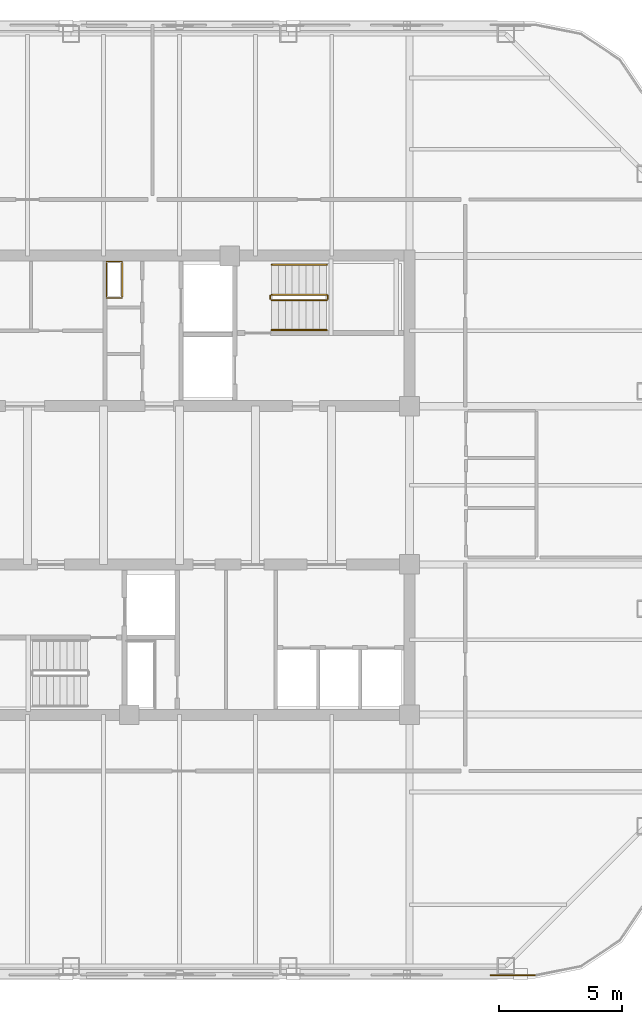
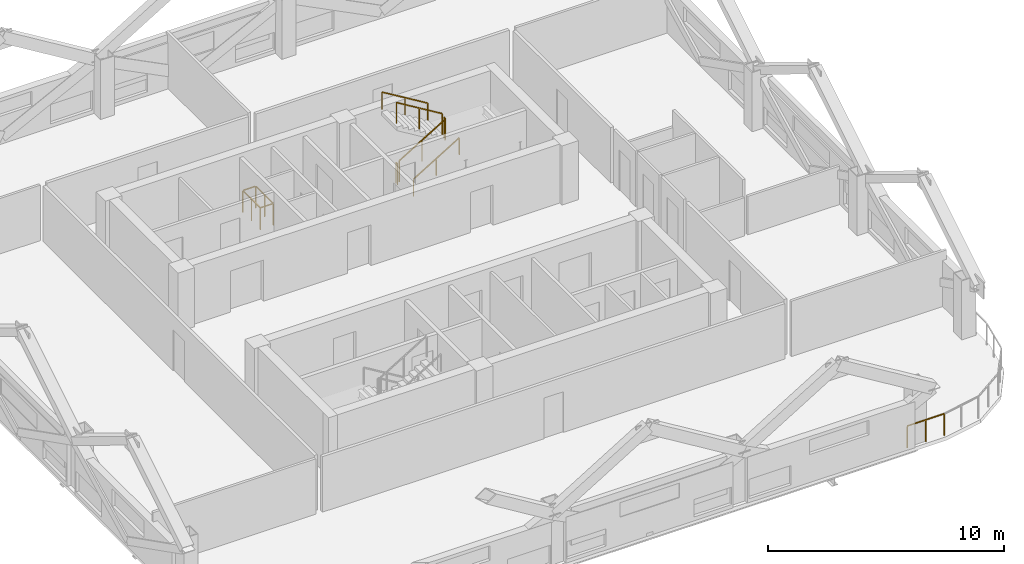
# One storey, part 8 of 9: 8 railings.
"""IFC4 building model written with IfcOpenShell, lengths in metres."""

from ifc_helpers import new_model, si_unit, direction, frame, origin, origin_2d, place, context, subcontext, project, spatial, rectangle, extrude, material, type_object, element, save


model = new_model("IFC4")

# Units and contexts
model_context = context("Model", 3, precision=1e-05, world=origin(), true_north=direction((0.0, 1.0)))
body_context = subcontext(model_context, "Body", "Model", "MODEL_VIEW")
ifc_project = project(units=[si_unit("LENGTHUNIT", "METRE"), si_unit("AREAUNIT", "SQUARE_METRE"), si_unit("VOLUMEUNIT", "CUBIC_METRE"), si_unit("PLANEANGLEUNIT", "RADIAN"), si_unit("MASSUNIT", "GRAM", prefix="KILO")], contexts=[model_context])

# Site, building, storey
site_placement = place(None, origin())
site = spatial("IfcSite", under=ifc_project, at=site_placement, CompositionType="ELEMENT")
building_placement = place(site_placement, origin())
building = spatial("IfcBuilding", under=site, at=building_placement, Name="Qhalaya Broadcast Tower", CompositionType="ELEMENT")
storey_placement = place(building_placement, frame((0.0, 0.0, 205.60009765625)))
storey = spatial("IfcBuildingStorey", under=building, at=storey_placement, Name="L60", CompositionType="ELEMENT", Elevation=205.60009765625)

# Railings
ifc_material = material(Name="Powder-Coated Galvanised Steel", Category="steel")
railing_type_1 = type_object("IfcRailingType", Name="Stair Wall Handrail 900", PredefinedType="HANDRAIL", material=ifc_material)
railing_1_placement = place(storey_placement, frame((3.75, 6.929931640625, 0.16943359375)))
element("IfcRailing", 1, at=railing_1_placement, inside=storey, type_object=railing_type_1, Name="L60 ST-1 Stair Handrail 1", PredefinedType="HANDRAIL", context=body_context, shape_type="SweptSolid", body=[
    extrude(rectangle(XDim=0.048095703125, YDim=0.048095703125, at=origin_2d()), frame((0.0, 0.0, 0.8759765625), z_axis=(0.855553338991, 0.0, 0.51771467445), x_axis=(0.0, 1.0, 0.0)), (0.0, 0.0, 1.0), 2.6181640625),
    extrude(rectangle(XDim=0.0419921875, YDim=0.0419921875, at=origin_2d()), origin(), (0.0, 0.0, 1.0), 0.849853515625),
    extrude(rectangle(XDim=0.0419921875, YDim=0.0419921875, at=origin_2d()), frame((1.1201171875, 0.0, 0.677734375)), (0.0, 0.0, 1.0), 0.849853515625),
    extrude(rectangle(XDim=0.0419921875, YDim=0.0419921875, at=origin_2d()), frame((2.239990234375, 0.0, 1.35546875)), (0.0, 0.0, 1.0), 0.849853515625),
])
railing_2_placement = place(storey_placement, frame((5.989990234375, 9.590087890625, 1.6943359375)))
element("IfcRailing", 2, at=railing_2_placement, inside=storey, type_object=railing_type_1, Name="L60 ST-1 Stair Handrail 2", PredefinedType="HANDRAIL", context=body_context, shape_type="SweptSolid", body=[
    extrude(rectangle(XDim=0.048095703125, YDim=0.048095703125, at=origin_2d()), frame((0.0, 0.0, 0.8759765625), z_axis=(-0.855553338991, 0.0, 0.51771467445), x_axis=(0.0, -1.0, 0.0)), (0.0, 0.0, 1.0), 2.6181640625),
    extrude(rectangle(XDim=0.0419921875, YDim=0.0419921875, at=origin_2d()), origin(), (0.0, 0.0, 1.0), 0.849853515625),
    extrude(rectangle(XDim=0.0419921875, YDim=0.0419921875, at=origin_2d()), frame((-1.1201171875, 0.0, 0.677734375)), (0.0, 0.0, 1.0), 0.849853515625),
    extrude(rectangle(XDim=0.0419921875, YDim=0.0419921875, at=origin_2d()), frame((-2.239990234375, 0.0, 1.35546875)), (0.0, 0.0, 1.0), 0.849853515625),
])
railing_type_2 = type_object("IfcRailingType", Name="Stair Well & Landing Guardrail 1100", PredefinedType="GUARDRAIL", material=ifc_material)
railing_3_placement = place(storey_placement, frame((-2.340087890625, 8.239990234375, 0.0)))
element("IfcRailing", 3, at=railing_3_placement, inside=storey, type_object=railing_type_2, Name="L60 Service Riser Opening Safety Guard NRSR", PredefinedType="GUARDRAIL", context=body_context, shape_type="SweptSolid", body=[
    extrude(rectangle(XDim=0.048095703125, YDim=0.048095703125, at=origin_2d()), frame((0.0, 0.02880859375, 1.1259765625), z_axis=(0.0, 1.0, 0.0), x_axis=(-1.0, 0.0, 0.0)), (0.0, 0.0, 1.0), 1.42236328125),
    extrude(rectangle(XDim=0.048095703125, YDim=0.048095703125, at=origin_2d()), frame((-0.02880859375, 1.47998046875, 1.1259765625), z_axis=(-1.0, 0.0, 0.0), x_axis=(0.0, -1.0, 0.0)), (0.0, 0.0, 1.0), 0.582275390625),
    extrude(rectangle(XDim=0.048095703125, YDim=0.048095703125, at=origin_2d()), frame((-0.639892578125, 1.451171875, 1.1259765625), z_axis=(0.0, -1.0, 0.0), x_axis=(1.0, 0.0, 0.0)), (0.0, 0.0, 1.0), 1.42236328125),
    extrude(rectangle(XDim=0.048095703125, YDim=0.048095703125, at=origin_2d()), frame((-0.611083984375, 0.0, 1.1259765625), z_axis=(1.0, 0.0, 0.0), x_axis=(0.0, 1.0, 0.0)), (0.0, 0.0, 1.0), 0.582275390625),
    extrude(rectangle(XDim=0.0419921875, YDim=0.0419921875, at=origin_2d()), origin(), (0.0, 0.0, 1.0), 1.099853515625),
    extrude(rectangle(XDim=0.0419921875, YDim=0.0419921875, at=origin_2d()), frame((0.0, 0.739990234375, 0.0)), (0.0, 0.0, 1.0), 1.099853515625),
    extrude(rectangle(XDim=0.0419921875, YDim=0.0419921875, at=origin_2d()), frame((0.0, 1.47998046875, 0.0)), (0.0, 0.0, 1.0), 1.099853515625),
    extrude(rectangle(XDim=0.0419921875, YDim=0.0419921875, at=origin_2d()), frame((-0.639892578125, 1.47998046875, 0.0)), (0.0, 0.0, 1.0), 1.099853515625),
    extrude(rectangle(XDim=0.0419921875, YDim=0.0419921875, at=origin_2d()), frame((-0.639892578125, 0.739990234375, 0.0)), (0.0, 0.0, 1.0), 1.099853515625),
    extrude(rectangle(XDim=0.0419921875, YDim=0.0419921875, at=origin_2d()), frame((-0.639892578125, 0.0, 0.0)), (0.0, 0.0, 1.0), 1.099853515625),
])
railing_4_placement = place(storey_placement, frame((3.75, 8.14990234375, 0.16943359375)))
element("IfcRailing", 4, at=railing_4_placement, inside=storey, type_object=railing_type_2, Name="L60 ST-1 Stair Guard 1", PredefinedType="GUARDRAIL", context=body_context, shape_type="SweptSolid", body=[
    extrude(rectangle(XDim=0.048095703125, YDim=0.048095703125, at=origin_2d()), frame((0.0, 0.0, 1.076171875), z_axis=(0.855553338991, 0.0, 0.51771467445), x_axis=(0.0, 1.0, 0.0)), (0.0, 0.0, 1.0), 2.6181640625),
    extrude(rectangle(XDim=0.0419921875, YDim=0.0419921875, at=origin_2d()), origin(), (0.0, 0.0, 1.0), 1.050048828125),
    extrude(rectangle(XDim=0.0419921875, YDim=0.0419921875, at=origin_2d()), frame((1.1201171875, 0.0, 0.677734375)), (0.0, 0.0, 1.0), 1.050048828125),
    extrude(rectangle(XDim=0.0419921875, YDim=0.0419921875, at=origin_2d()), frame((2.239990234375, 0.0, 1.35546875)), (0.0, 0.0, 1.0), 1.050048828125),
])
railing_5_placement = place(storey_placement, frame((6.0400390625, 8.199951171875, 1.52490234375)))
element("IfcRailing", 5, at=railing_5_placement, inside=storey, type_object=railing_type_2, Name="L60 ST-1 Stair Guard 2", PredefinedType="GUARDRAIL", context=body_context, shape_type="SweptSolid", body=[
    extrude(rectangle(XDim=0.048095703125, YDim=0.048095703125, at=origin_2d()), frame((0.0, 0.0, 1.076171875), z_axis=(0.0, 1.0, 0.0), x_axis=(-1.0, 0.0, 0.0)), (0.0, 0.0, 1.0), 0.1201171875),
    extrude(rectangle(XDim=0.0419921875, YDim=0.0419921875, at=origin_2d()), origin(), (0.0, 0.0, 1.0), 1.050048828125),
    extrude(rectangle(XDim=0.0419921875, YDim=0.0419921875, at=origin_2d()), frame((0.0, 0.1201171875, 0.0)), (0.0, 0.0, 1.0), 1.050048828125),
])
railing_6_placement = place(storey_placement, frame((5.989990234375, 8.3701171875, 1.6943359375)))
element("IfcRailing", 6, at=railing_6_placement, inside=storey, type_object=railing_type_2, Name="L60 ST-1 Stair Guard 3", PredefinedType="GUARDRAIL", context=body_context, shape_type="SweptSolid", body=[
    extrude(rectangle(XDim=0.048095703125, YDim=0.048095703125, at=origin_2d()), frame((0.0, 0.0, 1.076171875), z_axis=(-0.855553338991, 0.0, 0.51771467445), x_axis=(0.0, -1.0, 0.0)), (0.0, 0.0, 1.0), 2.6181640625),
    extrude(rectangle(XDim=0.0419921875, YDim=0.0419921875, at=origin_2d()), origin(), (0.0, 0.0, 1.0), 1.050048828125),
    extrude(rectangle(XDim=0.0419921875, YDim=0.0419921875, at=origin_2d()), frame((-1.1201171875, 0.0, 0.677734375)), (0.0, 0.0, 1.0), 1.050048828125),
    extrude(rectangle(XDim=0.0419921875, YDim=0.0419921875, at=origin_2d()), frame((-2.239990234375, 0.0, 1.35546875)), (0.0, 0.0, 1.0), 1.050048828125),
])
railing_7_placement = place(storey_placement, frame((3.699951171875, 8.199951171875, 0.0)))
element("IfcRailing", 7, at=railing_7_placement, inside=storey, type_object=railing_type_2, Name="L60 ST-1 Stair Guard 4", PredefinedType="GUARDRAIL", context=body_context, shape_type="SweptSolid", body=[
    extrude(rectangle(XDim=0.048095703125, YDim=0.048095703125, at=origin_2d()), frame((0.0, 0.0, 1.076171875), z_axis=(0.0, 1.0, 0.0), x_axis=(-1.0, 0.0, 0.0)), (0.0, 0.0, 1.0), 0.1201171875),
    extrude(rectangle(XDim=0.0419921875, YDim=0.0419921875, at=origin_2d()), origin(), (0.0, 0.0, 1.0), 1.050048828125),
    extrude(rectangle(XDim=0.0419921875, YDim=0.0419921875, at=origin_2d()), frame((0.0, 0.1201171875, 0.0)), (0.0, 0.0, 1.0), 1.050048828125),
])
railing_type_3 = type_object("IfcRailingType", Name="Terrace, Sky-Pool & Lookout Glass Balustrade 1150", PredefinedType="BALUSTRADE", material=ifc_material)
railing_8_placement = place(storey_placement, frame((14.48828125, -19.3798828125, 0.0)))
element("IfcRailing", 8, at=railing_8_placement, inside=storey, type_object=railing_type_3, Name="L60 Rounded Corner Perimeter Guard 01", PredefinedType="BALUSTRADE", context=body_context, shape_type="SweptSolid", body=[
    extrude(rectangle(XDim=0.048095703125, YDim=0.048095703125, at=origin_2d()), frame((0.0, 0.0, 1.1259765625), z_axis=(-1.0, 0.0, 0.0), x_axis=(0.0, -1.0, 0.0)), (0.0, 0.0, 1.0), 1.806396484375),
    extrude(rectangle(XDim=0.0419921875, YDim=0.0419921875, at=origin_2d()), origin(), (0.0, 0.0, 1.0), 1.099853515625),
    extrude(rectangle(XDim=0.0419921875, YDim=0.0419921875, at=origin_2d()), frame((-0.9033203125, 0.0, 0.0)), (0.0, 0.0, 1.0), 1.099853515625),
    extrude(rectangle(XDim=0.0419921875, YDim=0.0419921875, at=origin_2d()), frame((-1.806396484375, 0.0, 0.0)), (0.0, 0.0, 1.0), 1.099853515625),
])

save(model, "model.ifc")
